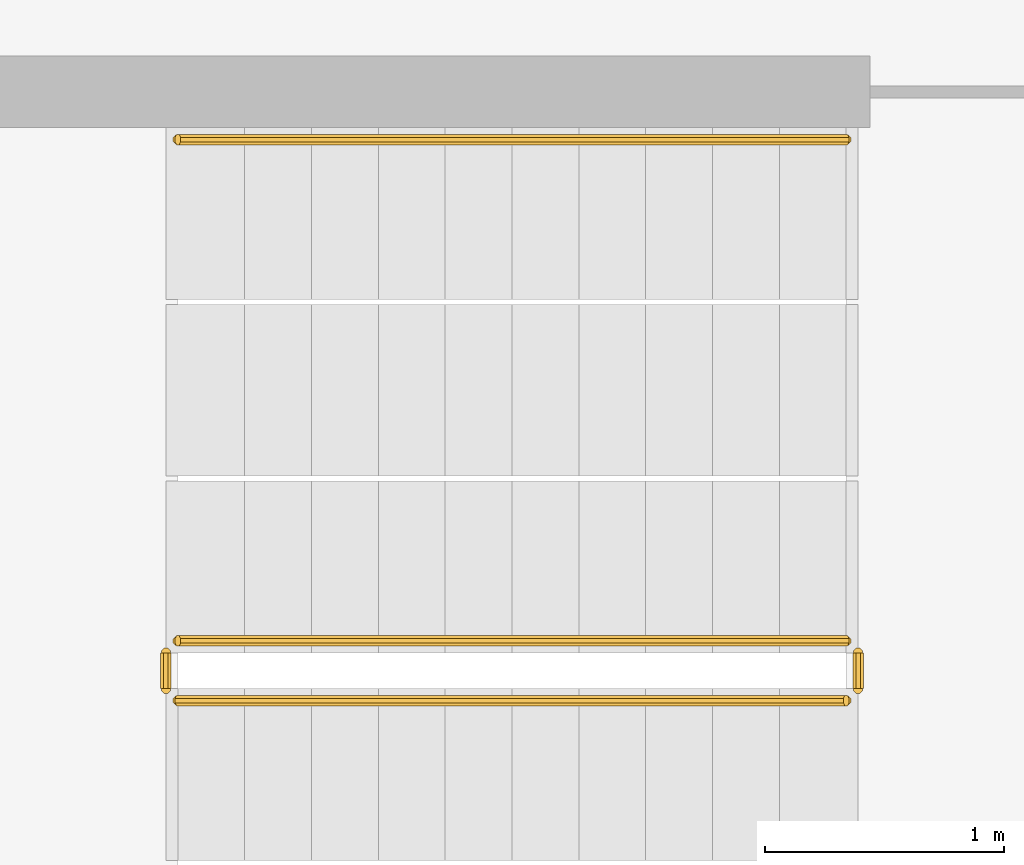
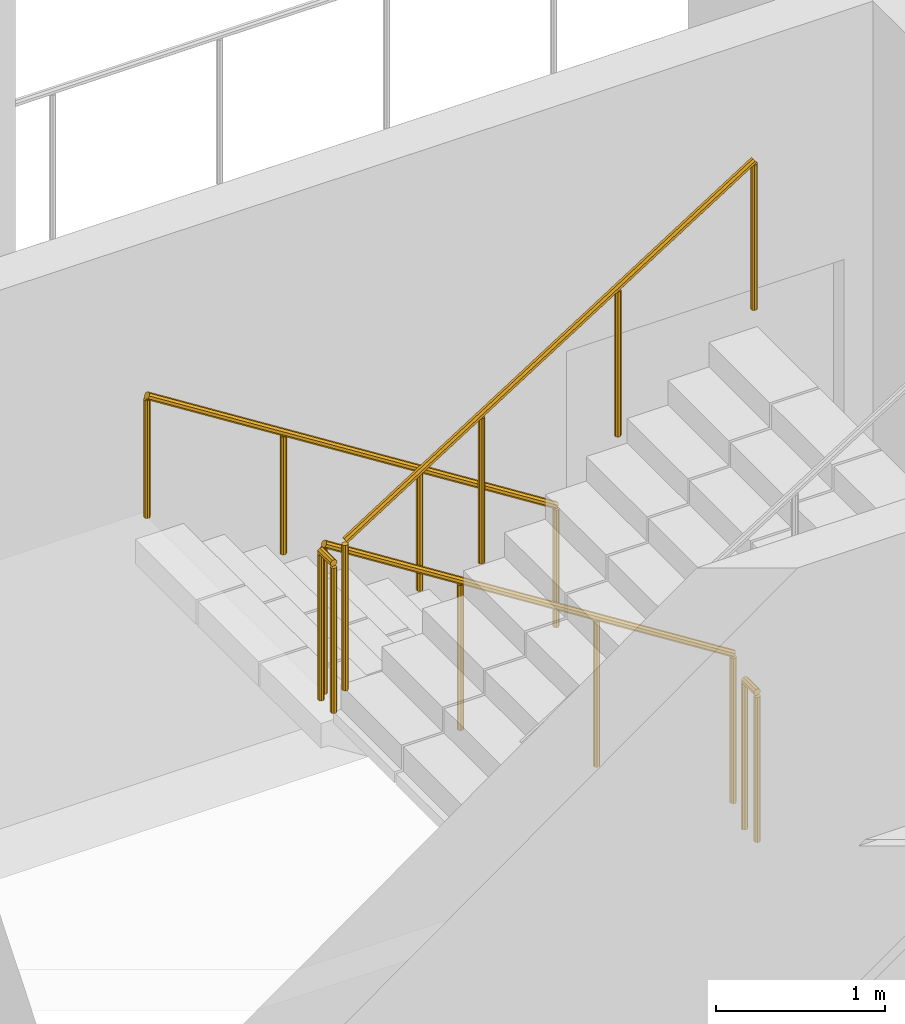
# One storey, part 19 of 26: 5 railings.
"""IFC4 building model written with IfcOpenShell, lengths in metres."""

from ifc_helpers import new_model, si_unit, direction, frame, origin, place, context, subcontext, project, spatial, polyline, outline, extrude, material, type_object, element, save


model = new_model("IFC4")

# Units and contexts
model_context = context("Model", 3, precision=1e-05, world=origin(), true_north=direction((0.0, 1.0)))
body_context = subcontext(model_context, "Body", "Model", "MODEL_VIEW")
ifc_project = project(units=[si_unit("LENGTHUNIT", "METRE"), si_unit("AREAUNIT", "SQUARE_METRE"), si_unit("VOLUMEUNIT", "CUBIC_METRE"), si_unit("PLANEANGLEUNIT", "RADIAN"), si_unit("MASSUNIT", "GRAM", prefix="KILO")], contexts=[model_context])

# Site, building, storey
site_placement = place(None, origin())
site = spatial("IfcSite", under=ifc_project, at=site_placement, CompositionType="ELEMENT")
building_placement = place(site_placement, origin())
building = spatial("IfcBuilding", under=site, at=building_placement, Name="Cormorant Relay Tower", CompositionType="ELEMENT")
storey_placement = place(building_placement, frame((0.0, 0.0, 193.5)))
storey = spatial("IfcBuildingStorey", under=building, at=storey_placement, Name="L41", CompositionType="ELEMENT", Elevation=193.5)

# Railings
ifc_material_1 = material(Name="Steel ASTM A572 Grade 50 (Fy 345 MPa)", Category="steel")
railing_type_1 = type_object("IfcRailingType", Name="Stair guard 1100", PredefinedType="GUARDRAIL", material=ifc_material_1)
railing_1_placement = place(storey_placement, frame((1.60009765625, -18.27490234375, 0.17724609375)))
element("IfcRailing", 1, at=railing_1_placement, inside=storey, type_object=railing_type_1, Name="L41 RK1 stair guard 1", PredefinedType="GUARDRAIL", context=body_context, shape_type="SweptSolid", body=[
    extrude(outline(polyline([(0.022216796875, 0.00927734375), (0.00927734375, 0.022216796875), (-0.00927734375, 0.022216796875), (-0.022216796875, 0.00927734375), (-0.022216796875, -0.00927734375), (-0.00927734375, -0.022216796875), (0.00927734375, -0.022216796875), (0.022216796875, -0.00927734375), (0.022216796875, 0.00927734375)])), frame((0.0, 0.0, 1.076171875), z_axis=(-0.844908973607, 0.0, 0.534910110503), x_axis=(0.0, -1.0, 0.0)), (0.0, 0.0, 1.0), 3.31396484375),
    extrude(outline(polyline([(0.019287109375, 0.008056640625), (0.008056640625, 0.019287109375), (-0.008056640625, 0.019287109375), (-0.019287109375, 0.008056640625), (-0.019287109375, -0.008056640625), (-0.008056640625, -0.019287109375), (0.008056640625, -0.019287109375), (0.019287109375, -0.008056640625), (0.019287109375, 0.008056640625)])), origin(), (0.0, 0.0, 1.0), 1.052001953125),
    extrude(outline(polyline([(0.019287109375, 0.008056640625), (0.008056640625, 0.019287109375), (-0.008056640625, 0.019287109375), (-0.019287109375, 0.008056640625), (-0.019287109375, -0.008056640625), (-0.008056640625, -0.019287109375), (0.008056640625, -0.019287109375), (0.019287109375, -0.008056640625), (0.019287109375, 0.008056640625)])), frame((-0.933349609375, 0.0, 0.5908203125)), (0.0, 0.0, 1.0), 1.052001953125),
    extrude(outline(polyline([(0.019287109375, 0.008056640625), (0.008056640625, 0.019287109375), (-0.008056640625, 0.019287109375), (-0.019287109375, 0.008056640625), (-0.019287109375, -0.008056640625), (-0.008056640625, -0.019287109375), (0.008056640625, -0.019287109375), (0.019287109375, -0.008056640625), (0.019287109375, 0.008056640625)])), frame((-1.86669921875, 0.0, 1.181884765625)), (0.0, 0.0, 1.0), 1.052001953125),
    extrude(outline(polyline([(0.019287109375, 0.008056640625), (0.008056640625, 0.019287109375), (-0.008056640625, 0.019287109375), (-0.019287109375, 0.008056640625), (-0.019287109375, -0.008056640625), (-0.008056640625, -0.019287109375), (0.008056640625, -0.019287109375), (0.019287109375, -0.008056640625), (0.019287109375, 0.008056640625)])), frame((-2.800048828125, 0.0, 1.772705078125)), (0.0, 0.0, 1.0), 1.052001953125),
])
railing_2_placement = place(storey_placement, frame((-1.25, -18.324951171875, 1.949951171875)))
element("IfcRailing", 2, at=railing_2_placement, inside=storey, type_object=railing_type_1, Name="L41 RK1 stair guard 2", PredefinedType="GUARDRAIL", context=body_context, shape_type="SweptSolid", body=[
    extrude(outline(polyline([(0.022216796875, 0.00927734375), (0.00927734375, 0.022216796875), (-0.00927734375, 0.022216796875), (-0.022216796875, 0.00927734375), (-0.022216796875, -0.00927734375), (-0.00927734375, -0.022216796875), (0.00927734375, -0.022216796875), (0.022216796875, -0.00927734375), (0.022216796875, 0.00927734375)])), frame((0.0, 0.0, 1.076171875), z_axis=(0.0, -1.0, 0.0), x_axis=(1.0, 0.0, 0.0)), (0.0, 0.0, 1.0), 0.150146484375),
    extrude(outline(polyline([(0.019287109375, 0.008056640625), (0.008056640625, 0.019287109375), (-0.008056640625, 0.019287109375), (-0.019287109375, 0.008056640625), (-0.019287109375, -0.008056640625), (-0.008056640625, -0.019287109375), (0.008056640625, -0.019287109375), (0.019287109375, -0.008056640625), (0.019287109375, 0.008056640625)])), origin(), (0.0, 0.0, 1.0), 1.052001953125),
    extrude(outline(polyline([(0.019287109375, 0.008056640625), (0.008056640625, 0.019287109375), (-0.008056640625, 0.019287109375), (-0.019287109375, 0.008056640625), (-0.019287109375, -0.008056640625), (-0.008056640625, -0.019287109375), (0.008056640625, -0.019287109375), (0.019287109375, -0.008056640625), (0.019287109375, 0.008056640625)])), frame((0.0, -0.150146484375, 0.0)), (0.0, 0.0, 1.0), 1.052001953125),
])
railing_3_placement = place(storey_placement, frame((-1.199951171875, -18.52490234375, 2.127197265625)))
element("IfcRailing", 3, at=railing_3_placement, inside=storey, type_object=railing_type_1, Name="L41 RK1 stair guard 3", PredefinedType="GUARDRAIL", context=body_context, shape_type="SweptSolid", body=[
    extrude(outline(polyline([(0.022216796875, 0.00927734375), (0.00927734375, 0.022216796875), (-0.00927734375, 0.022216796875), (-0.022216796875, 0.00927734375), (-0.022216796875, -0.00927734375), (-0.00927734375, -0.022216796875), (0.00927734375, -0.022216796875), (0.022216796875, -0.00927734375), (0.022216796875, 0.00927734375)])), frame((0.0, 0.0, 1.076171875), z_axis=(0.844908973607, 0.0, 0.534910110503), x_axis=(0.0, 1.0, 0.0)), (0.0, 0.0, 1.0), 3.31396484375),
    extrude(outline(polyline([(0.019287109375, 0.008056640625), (0.008056640625, 0.019287109375), (-0.008056640625, 0.019287109375), (-0.019287109375, 0.008056640625), (-0.019287109375, -0.008056640625), (-0.008056640625, -0.019287109375), (0.008056640625, -0.019287109375), (0.019287109375, -0.008056640625), (0.019287109375, 0.008056640625)])), origin(), (0.0, 0.0, 1.0), 1.052001953125),
    extrude(outline(polyline([(0.019287109375, 0.008056640625), (0.008056640625, 0.019287109375), (-0.008056640625, 0.019287109375), (-0.019287109375, 0.008056640625), (-0.019287109375, -0.008056640625), (-0.008056640625, -0.019287109375), (0.008056640625, -0.019287109375), (0.019287109375, -0.008056640625), (0.019287109375, 0.008056640625)])), frame((0.933349609375, 0.0, 0.5908203125)), (0.0, 0.0, 1.0), 1.052001953125),
    extrude(outline(polyline([(0.019287109375, 0.008056640625), (0.008056640625, 0.019287109375), (-0.008056640625, 0.019287109375), (-0.019287109375, 0.008056640625), (-0.019287109375, -0.008056640625), (-0.008056640625, -0.019287109375), (0.008056640625, -0.019287109375), (0.019287109375, -0.008056640625), (0.019287109375, 0.008056640625)])), frame((1.86669921875, 0.0, 1.181884765625)), (0.0, 0.0, 1.0), 1.052001953125),
    extrude(outline(polyline([(0.019287109375, 0.008056640625), (0.008056640625, 0.019287109375), (-0.008056640625, 0.019287109375), (-0.019287109375, 0.008056640625), (-0.019287109375, -0.008056640625), (-0.008056640625, -0.019287109375), (0.008056640625, -0.019287109375), (0.019287109375, -0.008056640625), (0.019287109375, 0.008056640625)])), frame((2.800048828125, 0.0, 1.772705078125)), (0.0, 0.0, 1.0), 1.052001953125),
])
railing_4_placement = place(storey_placement, frame((1.64990234375, -18.324951171875, 0.0)))
element("IfcRailing", 4, at=railing_4_placement, inside=storey, type_object=railing_type_1, Name="L41 RK1 stair guard 4", PredefinedType="GUARDRAIL", context=body_context, shape_type="SweptSolid", body=[
    extrude(outline(polyline([(0.022216796875, 0.00927734375), (0.00927734375, 0.022216796875), (-0.00927734375, 0.022216796875), (-0.022216796875, 0.00927734375), (-0.022216796875, -0.00927734375), (-0.00927734375, -0.022216796875), (0.00927734375, -0.022216796875), (0.022216796875, -0.00927734375), (0.022216796875, 0.00927734375)])), frame((0.0, 0.0, 1.076171875), z_axis=(0.0, -1.0, 0.0), x_axis=(1.0, 0.0, 0.0)), (0.0, 0.0, 1.0), 0.150146484375),
    extrude(outline(polyline([(0.019287109375, 0.008056640625), (0.008056640625, 0.019287109375), (-0.008056640625, 0.019287109375), (-0.019287109375, 0.008056640625), (-0.019287109375, -0.008056640625), (-0.008056640625, -0.019287109375), (0.008056640625, -0.019287109375), (0.019287109375, -0.008056640625), (0.019287109375, 0.008056640625)])), origin(), (0.0, 0.0, 1.0), 1.052001953125),
    extrude(outline(polyline([(0.019287109375, 0.008056640625), (0.008056640625, 0.019287109375), (-0.008056640625, 0.019287109375), (-0.019287109375, 0.008056640625), (-0.019287109375, -0.008056640625), (-0.008056640625, -0.019287109375), (0.008056640625, -0.019287109375), (0.019287109375, -0.008056640625), (0.019287109375, 0.008056640625)])), frame((0.0, -0.150146484375, 0.0)), (0.0, 0.0, 1.0), 1.052001953125),
])
ifc_material_2 = material(Name="Steel ASTM A572 Grade 50 (Fy 345 MPa)", Category="steel")
railing_type_2 = type_object("IfcRailingType", Name="Stair handrail 900", PredefinedType="HANDRAIL", material=ifc_material_2)
railing_5_placement = place(storey_placement, frame((1.60009765625, -16.175048828125, 0.17724609375)))
element("IfcRailing", 5, at=railing_5_placement, inside=storey, type_object=railing_type_2, Name="L41 RK1 stair handrail 1", PredefinedType="HANDRAIL", context=body_context, shape_type="SweptSolid", body=[
    extrude(outline(polyline([(0.022216796875, 0.00927734375), (0.00927734375, 0.022216796875), (-0.00927734375, 0.022216796875), (-0.022216796875, 0.00927734375), (-0.022216796875, -0.00927734375), (-0.00927734375, -0.022216796875), (0.00927734375, -0.022216796875), (0.022216796875, -0.00927734375), (0.022216796875, 0.00927734375)])), frame((0.0, 0.0, 0.8759765625), z_axis=(-0.844908973607, 0.0, 0.534910110503), x_axis=(0.0, -1.0, 0.0)), (0.0, 0.0, 1.0), 3.31396484375),
    extrude(outline(polyline([(0.019287109375, 0.008056640625), (0.008056640625, 0.019287109375), (-0.008056640625, 0.019287109375), (-0.019287109375, 0.008056640625), (-0.019287109375, -0.008056640625), (-0.008056640625, -0.019287109375), (0.008056640625, -0.019287109375), (0.019287109375, -0.008056640625), (0.019287109375, 0.008056640625)])), origin(), (0.0, 0.0, 1.0), 0.851806640625),
    extrude(outline(polyline([(0.019287109375, 0.008056640625), (0.008056640625, 0.019287109375), (-0.008056640625, 0.019287109375), (-0.019287109375, 0.008056640625), (-0.019287109375, -0.008056640625), (-0.008056640625, -0.019287109375), (0.008056640625, -0.019287109375), (0.019287109375, -0.008056640625), (0.019287109375, 0.008056640625)])), frame((-0.933349609375, 0.0, 0.5908203125)), (0.0, 0.0, 1.0), 0.851806640625),
    extrude(outline(polyline([(0.019287109375, 0.008056640625), (0.008056640625, 0.019287109375), (-0.008056640625, 0.019287109375), (-0.019287109375, 0.008056640625), (-0.019287109375, -0.008056640625), (-0.008056640625, -0.019287109375), (0.008056640625, -0.019287109375), (0.019287109375, -0.008056640625), (0.019287109375, 0.008056640625)])), frame((-1.86669921875, 0.0, 1.181884765625)), (0.0, 0.0, 1.0), 0.851806640625),
    extrude(outline(polyline([(0.019287109375, 0.008056640625), (0.008056640625, 0.019287109375), (-0.008056640625, 0.019287109375), (-0.019287109375, 0.008056640625), (-0.019287109375, -0.008056640625), (-0.008056640625, -0.019287109375), (0.008056640625, -0.019287109375), (0.019287109375, -0.008056640625), (0.019287109375, 0.008056640625)])), frame((-2.800048828125, 0.0, 1.772705078125)), (0.0, 0.0, 1.0), 0.851806640625),
])

save(model, "model.ifc")
